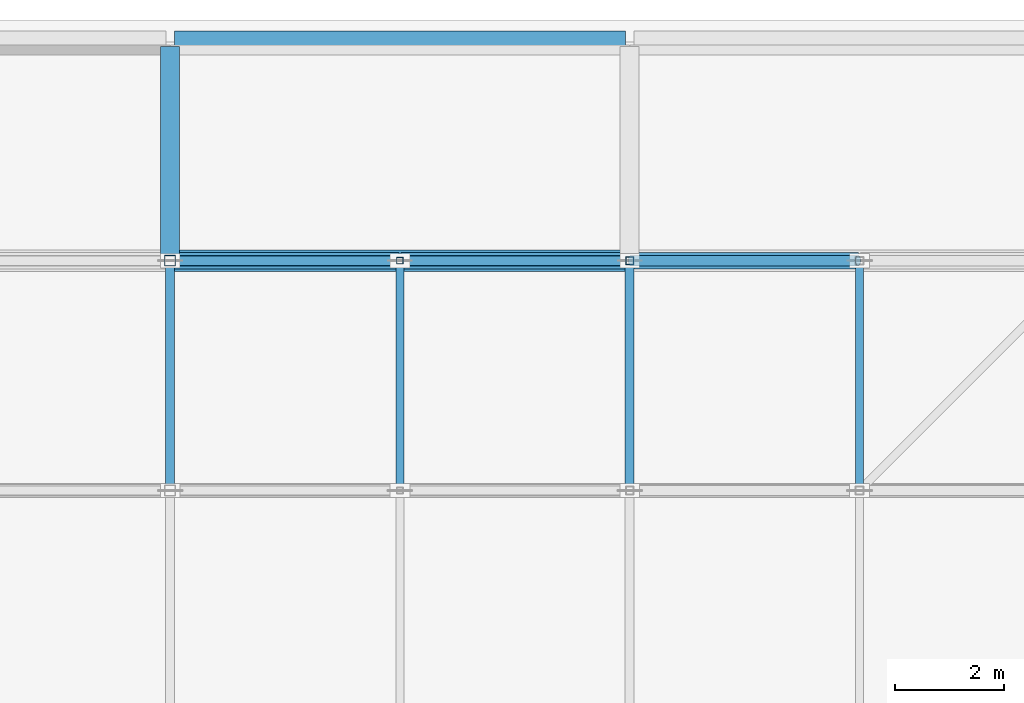
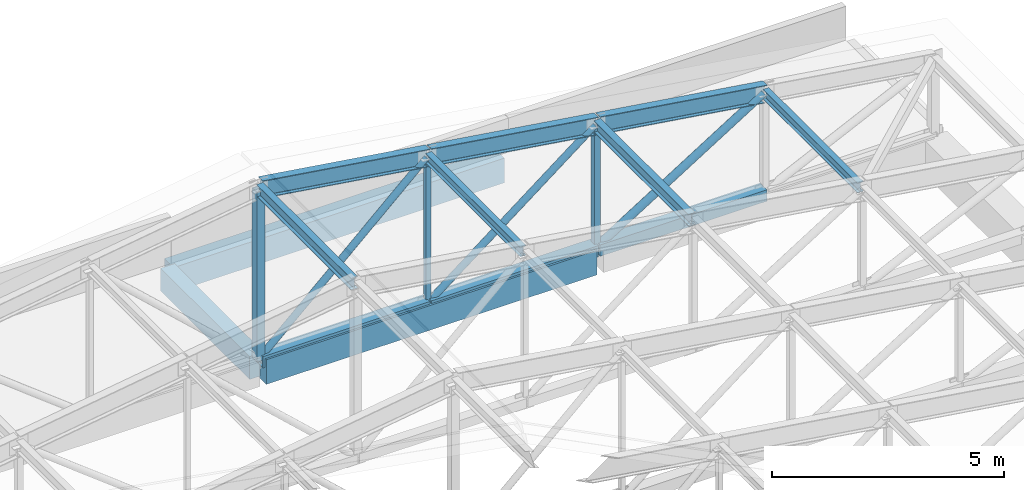
# One storey, part 40 of 122: 16 members, 3 beams.
"""IFC4 building model written with IfcOpenShell, lengths in metres."""

from ifc_helpers import new_model, si_unit, direction, frame, origin, origin_2d, place, context, subcontext, project, spatial, rectangle, hollow_rectangle, hollow_circle, i_section, extrude, material, material_profile, profile_set, type_object, element, save


model = new_model("IFC4")

# Units and contexts
model_context = context("Model", 3, precision=1e-05, world=origin(), true_north=direction((0.0, 1.0)))
body_context = subcontext(model_context, "Body", "Model", "MODEL_VIEW")
ifc_project = project(units=[si_unit("LENGTHUNIT", "METRE"), si_unit("AREAUNIT", "SQUARE_METRE"), si_unit("VOLUMEUNIT", "CUBIC_METRE"), si_unit("PLANEANGLEUNIT", "RADIAN"), si_unit("MASSUNIT", "GRAM", prefix="KILO")], contexts=[model_context])

# Site, building, storey
site_placement = place(None, origin())
site = spatial("IfcSite", under=ifc_project, at=site_placement, CompositionType="ELEMENT")
building_placement = place(site_placement, origin())
building = spatial("IfcBuilding", under=site, at=building_placement, Name="Telukmera Botanical Conservatory", CompositionType="ELEMENT")
storey_placement = place(building_placement, frame((0.0, 0.0, 10.199951171875)))
storey = spatial("IfcBuildingStorey", under=building, at=storey_placement, Name="L02", CompositionType="ELEMENT", Elevation=10.199951171875)

# Beams
ifc_material_1 = material(Name="Concrete C40/50", Category="concrete")
ifc_material_profile_1 = material_profile(ifc_material_1, rectangle(XDim=0.39990234375, YDim=0.64990234375, at=origin_2d()), Name="RC 400x650")
ifc_profile_set_1 = profile_set([ifc_material_profile_1], Name="Concrete C40/50")
beam_type_1 = type_object("IfcBeamType", Name="Beam_B8", PredefinedType="BEAM", material=ifc_profile_set_1)
for number, where, z_axis, x_axis, name in (
    (1, (25.280029296875, 116.800048828125, -0.324951171875), (1.0, 0.0, 0.0), (0.0, 1.0, 0.0), "Auditorium Frame Beam beam:V2:L02:port_x:1168:252"),
    (2, (25.280029296875, 120.800048828125, -0.324951171875), (1.0, 0.0, 0.0), (0.0, 1.0, 0.0), "Auditorium Frame Beam beam:V2:L02:port_x:1208:252"),
):
    element("IfcBeam", number, at=place(storey_placement, frame(where, z_axis=z_axis, x_axis=x_axis)), inside=storey, type_object=beam_type_1, Name=name, PredefinedType="BEAM", context=body_context, shape_type="SweptSolid", body=[
        extrude(rectangle(XDim=0.39990234375, YDim=0.64990234375, at=origin_2d()), origin(), (0.0, 0.0, 1.0), 8.239990234375),
    ])
ifc_material_profile_2 = material_profile(ifc_material_1, rectangle(XDim=0.35009765625, YDim=0.60009765625, at=origin_2d()), Name="RC 350x600")
ifc_profile_set_2 = profile_set([ifc_material_profile_2], Name="Concrete C40/50")
beam_type_2 = type_object("IfcBeamType", Name="Beam_B9", PredefinedType="BEAM", material=ifc_profile_set_2)
beam_placement = place(storey_placement, frame((25.199951171875, 116.8798828125, -0.300048828125), z_axis=(0.0, 1.0, 0.0), x_axis=(-1.0, 0.0, 0.0)))
element("IfcBeam", 3, at=beam_placement, inside=storey, type_object=beam_type_2, Name="Auditorium Frame Beam beam:V2:L02:port_y:252", PredefinedType="BEAM", context=body_context, shape_type="SweptSolid", body=[
    extrude(rectangle(XDim=0.35009765625, YDim=0.60009765625, at=origin_2d()), origin(), (0.0, 0.0, 1.0), 3.840087890625),
])

# Members
ifc_material_2 = material(Name="Steel S355", Category="steel")
ifc_material_profile_3 = material_profile(ifc_material_2, hollow_rectangle(XDim=0.300048828125, YDim=0.300048828125, WallThickness=0.012451171875, at=origin_2d()), Name="SHS 300x300x12.5")
ifc_profile_set_3 = profile_set([ifc_material_profile_3], Name="Steel S355")
member_type_1 = type_object("IfcMemberType", Name="Mem_TC3", PredefinedType="CHORD", material=ifc_profile_set_3)
member_1_placement = place(storey_placement, frame((25.219970703125, 116.800048828125, -0.079833984375), z_axis=(1.0, 0.0, 0.0), x_axis=(0.0, 1.0, 0.0)))
element("IfcMember", 4, at=member_1_placement, inside=storey, type_object=member_type_1, Name="Auditorium Pratt Truss Bottom Chord T9-5", PredefinedType="CHORD", context=body_context, shape_type="SweptSolid", body=[
    extrude(hollow_rectangle(XDim=0.300048828125, YDim=0.300048828125, WallThickness=0.012451171875, at=origin_2d()), origin(), (0.0, 0.0, 1.0), 4.159912109375),
])
member_2_placement = place(storey_placement, frame((29.419921875, 116.800048828125, -0.079833984375), z_axis=(1.0, 0.0, 0.0), x_axis=(0.0, 1.0, 0.0)))
element("IfcMember", 5, at=member_2_placement, inside=storey, type_object=member_type_1, Name="Auditorium Pratt Truss Bottom Chord T9-6", PredefinedType="CHORD", context=body_context, shape_type="SweptSolid", body=[
    extrude(hollow_rectangle(XDim=0.300048828125, YDim=0.300048828125, WallThickness=0.012451171875, at=origin_2d()), origin(), (0.0, 0.0, 1.0), 4.16015625),
])
member_3_placement = place(storey_placement, frame((33.6201171875, 116.800048828125, -0.079833984375), z_axis=(1.0, 0.0, 0.0), x_axis=(0.0, 1.0, 0.0)))
element("IfcMember", 6, at=member_3_placement, inside=storey, type_object=member_type_1, Name="Auditorium Pratt Truss Bottom Chord T9-7", PredefinedType="CHORD", context=body_context, shape_type="SweptSolid", body=[
    extrude(hollow_rectangle(XDim=0.300048828125, YDim=0.300048828125, WallThickness=0.012451171875, at=origin_2d()), origin(), (0.0, 0.0, 1.0), 4.159912109375),
])
ifc_material_profile_4 = material_profile(ifc_material_2, i_section(OverallWidth=0.19140625, OverallDepth=0.4599609375, WebThickness=0.010009765625, FlangeThickness=0.01611328125, FilletRadius=0.01025390625, at=origin_2d()), Name="UB 457x191x82")
ifc_profile_set_4 = profile_set([ifc_material_profile_4], Name="Steel S355")
member_type_2 = type_object("IfcMemberType", Name="Mem_TC4", PredefinedType="CHORD", material=ifc_profile_set_4)
member_4_placement = place(storey_placement, frame((25.2197265625, 116.800048828125, 4.427734375), z_axis=(0.989022603236, 0.0, -0.147764306545), x_axis=(0.0, 1.0, 0.0)))
element("IfcMember", 7, at=member_4_placement, inside=storey, type_object=member_type_2, Name="Auditorium Pratt Truss Top Chord T9-5", PredefinedType="CHORD", context=body_context, shape_type="SweptSolid", body=[
    extrude(i_section(OverallWidth=0.19140625, OverallDepth=0.4599609375, WebThickness=0.010009765625, FlangeThickness=0.01611328125, FilletRadius=0.01025390625, at=origin_2d()), origin(), (0.0, 0.0, 1.0), 4.20654296875),
])
member_5_placement = place(storey_placement, frame((29.419921875, 116.800048828125, 3.800048828125), z_axis=(0.989021335912, 0.0, -0.147772788805), x_axis=(0.0, 1.0, 0.0)))
element("IfcMember", 8, at=member_5_placement, inside=storey, type_object=member_type_2, Name="Auditorium Pratt Truss Top Chord T9-6", PredefinedType="CHORD", context=body_context, shape_type="SweptSolid", body=[
    extrude(i_section(OverallWidth=0.19140625, OverallDepth=0.4599609375, WebThickness=0.010009765625, FlangeThickness=0.01611328125, FilletRadius=0.01025390625, at=origin_2d()), origin(), (0.0, 0.0, 1.0), 4.206298828125),
])
member_6_placement = place(storey_placement, frame((33.619873046875, 116.800048828125, 3.17236328125), z_axis=(0.989022603236, 0.0, -0.147764306545), x_axis=(0.0, 1.0, 0.0)))
element("IfcMember", 9, at=member_6_placement, inside=storey, type_object=member_type_2, Name="Auditorium Pratt Truss Top Chord T9-7", PredefinedType="CHORD", context=body_context, shape_type="SweptSolid", body=[
    extrude(i_section(OverallWidth=0.19140625, OverallDepth=0.4599609375, WebThickness=0.010009765625, FlangeThickness=0.01611328125, FilletRadius=0.01025390625, at=origin_2d()), origin(), (0.0, 0.0, 1.0), 4.20654296875),
])
ifc_material_profile_5 = material_profile(ifc_material_2, hollow_circle(Radius=0.096923828125, WallThickness=0.008056640625, at=origin_2d()), Name="CHS 193.7x8.0")
ifc_profile_set_5 = profile_set([ifc_material_profile_5], Name="Steel S355")
member_type_3 = type_object("IfcMemberType", Name="Mem_TD1", PredefinedType="BRACE", material=ifc_profile_set_5)
member_7_placement = place(storey_placement, frame((33.62548828125, 116.800048828125, -0.06396484375), z_axis=(0.84777122797, 0.0, 0.530362088601), x_axis=(0.0, 1.0, 0.0)))
element("IfcMember", 10, at=member_7_placement, inside=storey, type_object=member_type_3, Name="Auditorium Pratt Truss Web Diagonal T9-D7", PredefinedType="BRACE", context=body_context, shape_type="SweptSolid", body=[
    extrude(hollow_circle(Radius=0.096923828125, WallThickness=0.008056640625, at=origin_2d()), origin(), (0.0, 0.0, 1.0), 4.894287109375),
])
ifc_material_profile_6 = material_profile(ifc_material_2, hollow_circle(Radius=0.084228515625, WallThickness=0.008056640625, at=origin_2d()), Name="CHS 168.3x8.0")
ifc_profile_set_6 = profile_set([ifc_material_profile_6], Name="Steel S355")
member_type_4 = type_object("IfcMemberType", Name="Mem_TD2", PredefinedType="BRACE", material=ifc_profile_set_6)
member_8_placement = place(storey_placement, frame((25.221923828125, 116.800048828125, -0.0595703125), z_axis=(0.734277342079, 0.0, 0.678849604044), x_axis=(0.0, 1.0, 0.0)))
element("IfcMember", 11, at=member_8_placement, inside=storey, type_object=member_type_4, Name="Auditorium Pratt Truss Web Diagonal T9-D5", PredefinedType="BRACE", context=body_context, shape_type="SweptSolid", body=[
    extrude(hollow_circle(Radius=0.084228515625, WallThickness=0.008056640625, at=origin_2d()), origin(), (0.0, 0.0, 1.0), 5.659912109375),
])
member_9_placement = place(storey_placement, frame((29.423583984375, 116.800048828125, -0.0615234375), z_axis=(0.790409427435, 0.0, 0.612578923097), x_axis=(0.0, 1.0, 0.0)))
element("IfcMember", 12, at=member_9_placement, inside=storey, type_object=member_type_4, Name="Auditorium Pratt Truss Web Diagonal T9-D6", PredefinedType="BRACE", context=body_context, shape_type="SweptSolid", body=[
    extrude(hollow_circle(Radius=0.084228515625, WallThickness=0.008056640625, at=origin_2d()), origin(), (0.0, 0.0, 1.0), 5.25390625),
])
ifc_material_profile_7 = material_profile(ifc_material_2, i_section(OverallWidth=0.165771484375, OverallDepth=0.306640625, WebThickness=0.006591796875, FlangeThickness=0.01171875, FilletRadius=0.0087890625, at=origin_2d()), Name="UB 305x165x46")
ifc_profile_set_7 = profile_set([ifc_material_profile_7], Name="Steel S355")
member_type_5 = type_object("IfcMemberType", Name="Mem_TPB1", PredefinedType="PURLIN", material=ifc_profile_set_7)
for number, where, z_axis, x_axis, name in (
    (13, (25.199951171875, 112.659912109375, 4.430908203125), (0.0, 1.0, 0.0), (-1.0, 0.0, 0.0), "Auditorium Roof Steel Purlin P8-4"),
    (14, (33.60009765625, 112.659912109375, 3.175537109375), (0.0, 1.0, 0.0), (-1.0, 0.0, 0.0), "Auditorium Roof Steel Purlin P8-6"),
):
    element("IfcMember", number, at=place(storey_placement, frame(where, z_axis=z_axis, x_axis=x_axis)), inside=storey, type_object=member_type_5, Name=name, PredefinedType="PURLIN", context=body_context, shape_type="SweptSolid", body=[
        extrude(i_section(OverallWidth=0.165771484375, OverallDepth=0.306640625, WebThickness=0.006591796875, FlangeThickness=0.01171875, FilletRadius=0.0087890625, at=origin_2d()), origin(), (0.0, 0.0, 1.0), 4.080078125),
    ])
ifc_material_profile_8 = material_profile(ifc_material_2, i_section(OverallWidth=0.146484375, OverallDepth=0.256103515625, WebThickness=0.00634765625, FlangeThickness=0.010986328125, FilletRadius=0.007568359375, at=origin_2d()), Name="UB 254x146x37")
ifc_profile_set_8 = profile_set([ifc_material_profile_8], Name="Steel S355")
member_type_6 = type_object("IfcMemberType", Name="Mem_TPB2", PredefinedType="PURLIN", material=ifc_profile_set_8)
for number, where, z_axis, x_axis, name in (
    (15, (29.39990234375, 112.659912109375, 3.80322265625), (0.0, 1.0, 0.0), (-1.0, 0.0, 0.0), "Auditorium Roof Steel Purlin P8-5"),
    (16, (37.800048828125, 112.659912109375, 2.5478515625), (0.0, 1.0, 0.0), (-1.0, 0.0, 0.0), "Auditorium Roof Steel Purlin P8-7"),
):
    element("IfcMember", number, at=place(storey_placement, frame(where, z_axis=z_axis, x_axis=x_axis)), inside=storey, type_object=member_type_6, Name=name, PredefinedType="PURLIN", context=body_context, shape_type="SweptSolid", body=[
        extrude(i_section(OverallWidth=0.146484375, OverallDepth=0.256103515625, WebThickness=0.00634765625, FlangeThickness=0.010986328125, FilletRadius=0.007568359375, at=origin_2d()), origin(), (0.0, 0.0, 1.0), 4.080078125),
    ])
ifc_material_profile_9 = material_profile(ifc_material_2, hollow_rectangle(XDim=0.199951171875, YDim=0.199951171875, WallThickness=0.010009765625, at=origin_2d()), Name="SHS 200x200x10.0")
ifc_profile_set_9 = profile_set([ifc_material_profile_9], Name="Steel S355")
member_type_7 = type_object("IfcMemberType", Name="Mem_TV1", PredefinedType="POST", material=ifc_profile_set_9)
member_10_placement = place(storey_placement, frame((25.199951171875, 116.800048828125, -0.06005859375), z_axis=(0.0, 0.0, 1.0), x_axis=(1.0, 0.0, 0.0)))
element("IfcMember", 17, at=member_10_placement, inside=storey, type_object=member_type_7, Name="Auditorium Pratt Truss Vertical T9-V4", PredefinedType="POST", context=body_context, shape_type="SweptSolid", body=[
    extrude(hollow_rectangle(XDim=0.199951171875, YDim=0.199951171875, WallThickness=0.010009765625, at=origin_2d()), origin(), (0.0, 0.0, 1.0), 4.470947265625),
])
ifc_material_profile_10 = material_profile(ifc_material_2, hollow_rectangle(XDim=0.14990234375, YDim=0.14990234375, WallThickness=0.008056640625, at=origin_2d()), Name="SHS 150x150x8.0")
ifc_profile_set_10 = profile_set([ifc_material_profile_10], Name="Steel S355")
member_type_8 = type_object("IfcMemberType", Name="Mem_TV2", PredefinedType="POST", material=ifc_profile_set_10)
member_11_placement = place(storey_placement, frame((33.60009765625, 116.800048828125, -0.06005859375), z_axis=(0.0, 0.0, 1.0), x_axis=(1.0, 0.0, 0.0)))
element("IfcMember", 18, at=member_11_placement, inside=storey, type_object=member_type_8, Name="Auditorium Pratt Truss Vertical T9-V6", PredefinedType="POST", context=body_context, shape_type="SweptSolid", body=[
    extrude(hollow_rectangle(XDim=0.14990234375, YDim=0.14990234375, WallThickness=0.008056640625, at=origin_2d()), origin(), (0.0, 0.0, 1.0), 3.215576171875),
])
ifc_material_profile_11 = material_profile(ifc_material_2, hollow_rectangle(XDim=0.1201171875, YDim=0.1201171875, WallThickness=0.00634765625, at=origin_2d()), Name="SHS 120x120x6.3")
ifc_profile_set_11 = profile_set([ifc_material_profile_11], Name="Steel S355")
member_type_9 = type_object("IfcMemberType", Name="Mem_TV3", PredefinedType="POST", material=ifc_profile_set_11)
member_12_placement = place(storey_placement, frame((29.39990234375, 116.800048828125, -0.06005859375), z_axis=(0.0, 0.0, 1.0), x_axis=(1.0, 0.0, 0.0)))
element("IfcMember", 19, at=member_12_placement, inside=storey, type_object=member_type_9, Name="Auditorium Pratt Truss Vertical T9-V5", PredefinedType="POST", context=body_context, shape_type="SweptSolid", body=[
    extrude(hollow_rectangle(XDim=0.1201171875, YDim=0.1201171875, WallThickness=0.00634765625, at=origin_2d()), origin(), (0.0, 0.0, 1.0), 3.84326171875),
])

save(model, "model.ifc")
